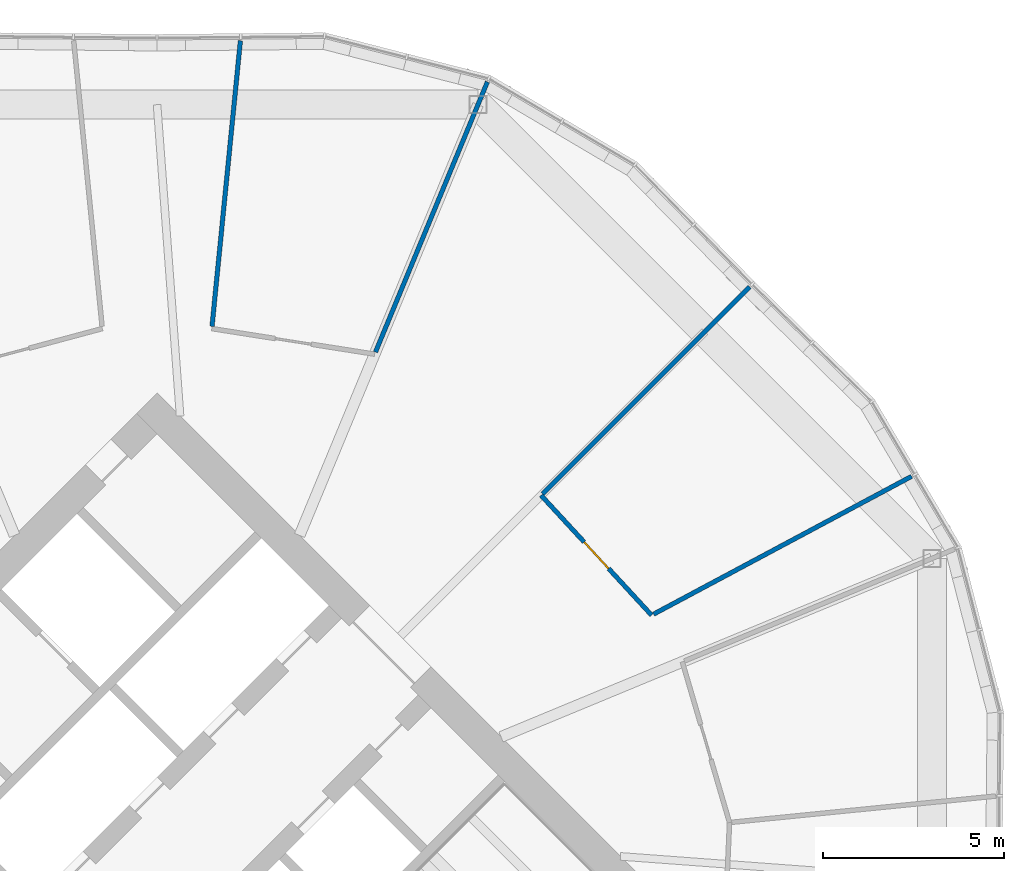
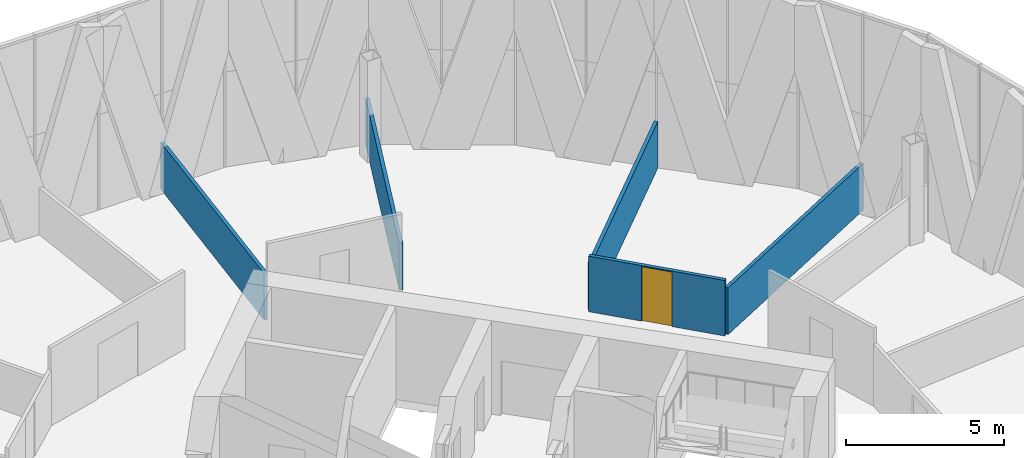
# One storey, part 26 of 31: 5 walls, 1 door, 1 opening.
"""IFC4 building model written with IfcOpenShell, lengths in metres."""

import ifcopenshell
import ifcopenshell.guid

model = None  # the IFC model being written
_history = None  # IfcOwnerHistory: only IFC2X3 demands one
_inside = {}  # id of a spatial element -> (the spatial element, [elements in it])
_under = {}  # id of a project, library or spatial element -> (it, [spatial elements below it])
_declared = {}  # id of a project -> (the project, [libraries it declares])
_typed = {}  # id of a type object -> (the type object, [elements of that type])
_made_of = {}  # id of a material, layer set ... -> (it, [elements and type objects made of it])


def new_model(schema):
    """Start an empty IFC model of exactly this schema.

    Asked for "IFC4X3", IfcOpenShell would pick the latest addendum, in which some entities
    have other attributes; the version numbers below select the first issue.
    IFC2X3 requires an IfcOwnerHistory on every rooted entity: one is made here for all.
    """
    global model, _history
    if schema == "IFC4X3":
        model = ifcopenshell.file(schema_version=(4, 3, 0, 0))
    else:
        model = ifcopenshell.file(schema=schema)
    _inside.clear()
    _under.clear()
    _declared.clear()
    _typed.clear()
    _made_of.clear()
    _history = None
    if model.schema == "IFC2X3":
        org = make("IfcOrganization", Name="unknown")
        user = make(
            "IfcPersonAndOrganization",
            ThePerson=make("IfcPerson", FamilyName="unknown"),
            TheOrganization=org,
        )
        app = make(
            "IfcApplication",
            ApplicationDeveloper=org,
            Version="unknown",
            ApplicationFullName="unknown",
            ApplicationIdentifier="unknown",
        )
        _history = make(
            "IfcOwnerHistory",
            OwningUser=user,
            OwningApplication=app,
            ChangeAction="ADDED",
            CreationDate=0,
        )
    return model


def make(cls, **values):
    """One entity of the class cls with the attributes given. An attribute that is None is left unset."""
    return model.create_entity(
        cls, **{name: value for name, value in values.items() if value is not None}
    )


def rooted(cls, **values):
    """An entity with a GlobalId (a new one), such as an element, a storey or a relation."""
    return make(cls, GlobalId=ifcopenshell.guid.new(), OwnerHistory=_history, **values)


def si_unit(unit_type, name, prefix=None):
    """IfcSIUnit, for example si_unit("LENGTHUNIT", "METRE", prefix="MILLI")."""
    return make("IfcSIUnit", UnitType=unit_type, Prefix=prefix, Name=name)


def assignment(units):
    """IfcUnitAssignment: the units of a project."""
    return None if units is None else make("IfcUnitAssignment", Units=units)


def point(xyz):
    """IfcCartesianPoint."""
    return None if xyz is None else make("IfcCartesianPoint", Coordinates=xyz)


def direction(xyz):
    """IfcDirection."""
    return None if xyz is None else make("IfcDirection", DirectionRatios=xyz)


def frame(location, z_axis=None, x_axis=None):
    """IfcAxis2Placement3D, a coordinate frame: its origin and axes. An axis left out is left unset."""
    return make(
        "IfcAxis2Placement3D",
        Location=point(location),
        Axis=direction(z_axis),
        RefDirection=direction(x_axis),
    )


def frame_2d(location, x_axis=None):
    """IfcAxis2Placement2D, a coordinate frame in the plane: its origin and x axis."""
    return make(
        "IfcAxis2Placement2D", Location=point(location), RefDirection=direction(x_axis)
    )


def origin():
    """The frame at (0, 0, 0) with its axes left unset."""
    return frame((0.0, 0.0, 0.0))


def place(relative_to, where):
    """IfcLocalPlacement: puts the frame where relative to a parent placement (None: the world)."""
    return make(
        "IfcLocalPlacement", PlacementRelTo=relative_to, RelativePlacement=where
    )


def context(
    kind, dimensions, precision=None, world=None, true_north=None, identifier=None
):
    """IfcGeometricRepresentationContext, for example the 3D "Model" context."""
    return make(
        "IfcGeometricRepresentationContext",
        ContextIdentifier=identifier,
        ContextType=kind,
        CoordinateSpaceDimension=dimensions,
        Precision=precision,
        WorldCoordinateSystem=world,
        TrueNorth=true_north,
    )


def subcontext(parent, identifier, kind, view, scale=None):
    """IfcGeometricRepresentationSubContext, for example "Body" below "Model"."""
    return make(
        "IfcGeometricRepresentationSubContext",
        ContextIdentifier=identifier,
        ContextType=kind,
        ParentContext=parent,
        TargetScale=scale,
        TargetView=view,
    )


def project(units=None, contexts=None):
    """IfcProject with its units and contexts."""
    return rooted(
        "IfcProject",
        Name="project",
        RepresentationContexts=contexts,
        UnitsInContext=assignment(units),
    )


def spatial(cls, under=None, at=None, **own):
    """A site, building, storey or space (cls), placed at a placement, below another one or the project."""
    s = rooted(cls, ObjectPlacement=at, **own)
    if under is not None:
        _under.setdefault(under.id(), (under, []))[1].append(s)
    return s


def profile(cls, at=None, kind="AREA", **sizes):
    """A parametric profile (cls). Its sizes go by their IFC names, for example OverallWidth=200.0."""
    return make(cls, ProfileType=kind, Position=at, **sizes)


def rectangle(**sizes):
    """IfcRectangleProfileDef."""
    return profile("IfcRectangleProfileDef", **sizes)


def extrude(swept, where, along, depth):
    """IfcExtrudedAreaSolid: the profile swept, set in the frame where, extruded along a direction by depth."""
    return make(
        "IfcExtrudedAreaSolid",
        SweptArea=swept,
        Position=where,
        ExtrudedDirection=direction(along),
        Depth=depth,
    )


def shape(context_of_items, identifier, shape_type, items):
    """IfcShapeRepresentation: the items that make up one representation, for example the "Body"."""
    return make(
        "IfcShapeRepresentation",
        ContextOfItems=context_of_items,
        RepresentationIdentifier=identifier,
        RepresentationType=shape_type,
        Items=items,
    )


def material(Name=None, Category=None):
    """IfcMaterial."""
    return make("IfcMaterial", Name=Name, Category=Category)


def layer(
    of_material, thickness, ventilated=None, Name=None, Category=None, Priority=None
):
    """IfcMaterialLayer: one layer of a wall or slab, of a material (None: an air gap)."""
    return make(
        "IfcMaterialLayer",
        Material=of_material,
        LayerThickness=thickness,
        IsVentilated=ventilated,
        Name=Name,
        Category=Category,
        Priority=Priority,
    )


def layer_set(layers, Name=None):
    """IfcMaterialLayerSet."""
    return make("IfcMaterialLayerSet", MaterialLayers=layers, LayerSetName=Name)


def made_of(thing, what):
    """Note that an element or type object is made of a material, layer set ...; save() writes the relation."""
    if what is not None:
        _made_of.setdefault(what.id(), (what, []))[1].append(thing)
    return thing


def type_object(cls, material=None, **own):
    """A type object (cls), such as IfcWallType, which elements share."""
    return made_of(rooted(cls, **own), material)


def element(
    cls,
    number,
    at=None,
    inside=None,
    cuts=None,
    type_object=None,
    material=None,
    context=None,
    identifier="Body",
    shape_type=None,
    held_by="IfcProductDefinitionShape",
    body=None,
    shapes=None,
    **own,
):
    """One element of the class cls, such as IfcWall. Its Tag is "e" and its number.

    at: its placement. inside: the storey or other place that contains it. cuts: it is an
    opening in that element (IfcRelVoidsElement). A single representation is given by context,
    identifier, shape_type and body (its items); several are given by shapes. held_by: the class
    of the entity that holds the representations. save() writes the other relations.
    """
    e = rooted(cls, Tag="e%d" % number, ObjectPlacement=at, **own)
    if body is not None:
        shapes = [shape(context, identifier, shape_type, body)]
    if shapes is not None:
        e.Representation = make(held_by, Representations=shapes)
    if inside is not None:
        _inside.setdefault(inside.id(), (inside, []))[1].append(e)
    if cuts is not None:
        rooted(
            "IfcRelVoidsElement", RelatingBuildingElement=cuts, RelatedOpeningElement=e
        )
    if type_object is not None:
        _typed.setdefault(type_object.id(), (type_object, []))[1].append(e)
    return made_of(e, material)


def fill(opening, filler):
    """IfcRelFillsElement: the door or window that sits in an opening."""
    return rooted(
        "IfcRelFillsElement",
        RelatingOpeningElement=opening,
        RelatedBuildingElement=filler,
    )


def aggregate(whole, parts):
    """IfcRelAggregates: a whole, such as a stair, and the parts it consists of."""
    return rooted("IfcRelAggregates", RelatingObject=whole, RelatedObjects=parts)


def save(model, path):
    """Write the relations noted so far, then the file.

    IfcRelAggregates (storeys below a building ...), IfcRelContainedInSpatialStructure (elements
    in a storey), IfcRelDefinesByType, IfcRelAssociatesMaterial and IfcRelDeclares: one each for
    every whole, place, type object, material and project.
    """
    for whole, parts in _under.values():
        aggregate(whole, parts)
    for where, things in _inside.values():
        rooted(
            "IfcRelContainedInSpatialStructure",
            RelatedElements=things,
            RelatingStructure=where,
        )
    for kind, things in _typed.values():
        rooted("IfcRelDefinesByType", RelatedObjects=things, RelatingType=kind)
    for what, things in _made_of.values():
        rooted("IfcRelAssociatesMaterial", RelatedObjects=things, RelatingMaterial=what)
    for by, libraries in _declared.values():
        rooted("IfcRelDeclares", RelatingContext=by, RelatedDefinitions=libraries)
    model.write(path)


model = new_model("IFC4")

# Units and contexts
model_context = context("Model", 3, precision=1e-05, world=origin(), true_north=direction((0.0, 1.0)))
body_context = subcontext(model_context, "Body", "Model", "MODEL_VIEW")
ifc_project = project(units=[si_unit("LENGTHUNIT", "METRE"), si_unit("AREAUNIT", "SQUARE_METRE"), si_unit("VOLUMEUNIT", "CUBIC_METRE"), si_unit("PLANEANGLEUNIT", "RADIAN"), si_unit("MASSUNIT", "GRAM", prefix="KILO")], contexts=[model_context])

# Site, building, storey
site_placement = place(None, origin())
site = spatial("IfcSite", under=ifc_project, at=site_placement, CompositionType="ELEMENT")
building_placement = place(site_placement, origin())
building = spatial("IfcBuilding", under=site, at=building_placement, Name="Ogive Gate Towers", CompositionType="ELEMENT")
storey_placement = place(building_placement, frame((0.0, 0.0, 107.39990234375)))
storey = spatial("IfcBuildingStorey", under=building, at=storey_placement, Name="L25", CompositionType="ELEMENT", Elevation=107.39990234375)

# Walls
ifc_material_1 = material(Name="Gypsum board partition")
ifc_layer = layer(ifc_material_1, 0.125)
ifc_layer_set = layer_set([ifc_layer], Name="Partition 125")
wall_type = type_object("IfcWallType", Name="Partition 125", PredefinedType="PARTITIONING", material=ifc_layer_set)
for number, where, z_axis, x_axis, name in (
    (1, (56.837890625, 11.13134765625, 0.0), (0.0, 0.0, 1.0), (-0.882040628853, -0.471173353505, 0.0), "Partition T2-L25-003"),
    (2, (52.36181640625, 16.36181640625, 0.0), (0.0, 0.0, 1.0), (-0.707106781187, -0.707106781187, 0.0), "Partition T2-L25-004"),
    (3, (45.123046875, 22.025390625, 0.0), (0.0, 0.0, 1.0), (-0.382667716145, -0.923886042226, 0.0), "Partition T2-L25-005"),
):
    element("IfcWall", number, at=place(storey_placement, frame(where, z_axis=z_axis, x_axis=x_axis)), inside=storey, type_object=wall_type, Name=name, PredefinedType="PARTITIONING", context=body_context, shape_type="SweptSolid", body=[
        extrude(rectangle(XDim=8.076416015625, YDim=0.125, at=frame_2d((4.0380859375, 0.0))), origin(), (0.0, 0.0, 1.0), 1.800048828125),
    ])
wall_1_placement = place(storey_placement, frame((38.302001953125, 23.162353515625, 0.0), z_axis=(0.0, 0.0, 1.0), x_axis=(-0.09887242323, -0.995100117538, 0.0)))
element("IfcWall", 4, at=wall_1_placement, inside=storey, type_object=wall_type, Name="Partition T2-L25-006", PredefinedType="PARTITIONING", context=body_context, shape_type="SweptSolid", body=[
    extrude(rectangle(XDim=7.92626953125, YDim=0.125, at=frame_2d((3.963134765625, 0.0))), origin(), (0.0, 0.0, 1.0), 1.800048828125),
])

# Wall, opening, door
wall_2_placement = place(storey_placement, frame((46.606689453125, 10.606689453125, 0.0), z_axis=(0.0, 0.0, 1.0), x_axis=(0.677870135451, -0.73518166426, 0.0)))
wall_2 = element("IfcWall", 5, at=wall_2_placement, inside=storey, type_object=wall_type, Name="Partition T2-L25-029", PredefinedType="PARTITIONING", context=body_context, shape_type="SweptSolid", body=[
    extrude(rectangle(XDim=4.502685546875, YDim=0.125, at=frame_2d((2.25146484375, 0.0))), origin(), (0.0, 0.0, 1.0), 2.14013671875),
])
opening_placement = place(wall_2_placement, frame((1.7509765625, 0.0, 0.0)))
opening = element("IfcOpeningElement", 6, at=opening_placement, cuts=wall_2, Name="Opening T2-L25-D06", PredefinedType="OPENING", context=body_context, shape_type="SweptSolid", body=[
    extrude(rectangle(XDim=1.0, YDim=2.10009765625, at=frame_2d((0.5, 1.050048828125))), frame((0.0, 0.072509765625, 0.0), z_axis=(0.0, -1.0, 0.0), x_axis=(1.0, 0.0, 0.0)), (0.0, 0.0, 1.0), 0.14501953125),
])
ifc_material_2 = material(Name="Timber door", Category="wood")
door_type = type_object("IfcDoorType", Name="Door 1000", OperationType="NOTDEFINED", PredefinedType="DOOR", material=ifc_material_2)
door_placement = place(opening_placement, origin())
door = element("IfcDoor", 7, at=door_placement, inside=storey, type_object=door_type, Name="Door T2-L25-D06", OperationType="SINGLE_SWING_RIGHT", OverallHeight=2.10009765625, OverallWidth=1.0, PredefinedType="DOOR", context=body_context, shape_type="SweptSolid", body=[
    extrude(rectangle(XDim=1.0, YDim=2.10009765625, at=frame_2d((0.5, 1.050048828125))), frame((0.0, 0.02490234375, 0.0), z_axis=(0.0, -1.0, 0.0), x_axis=(1.0, 0.0, 0.0)), (0.0, 0.0, 1.0), 0.050048828125),
])
fill(opening, door)

save(model, "model.ifc")
